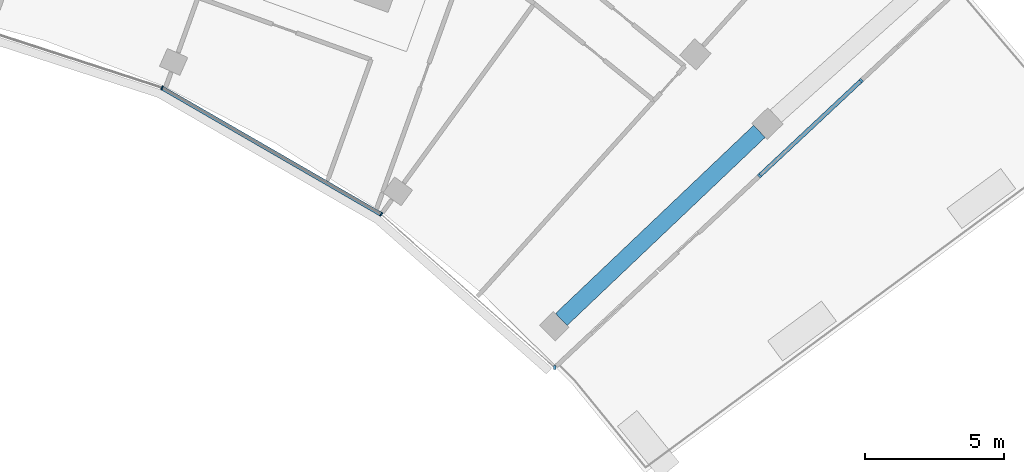
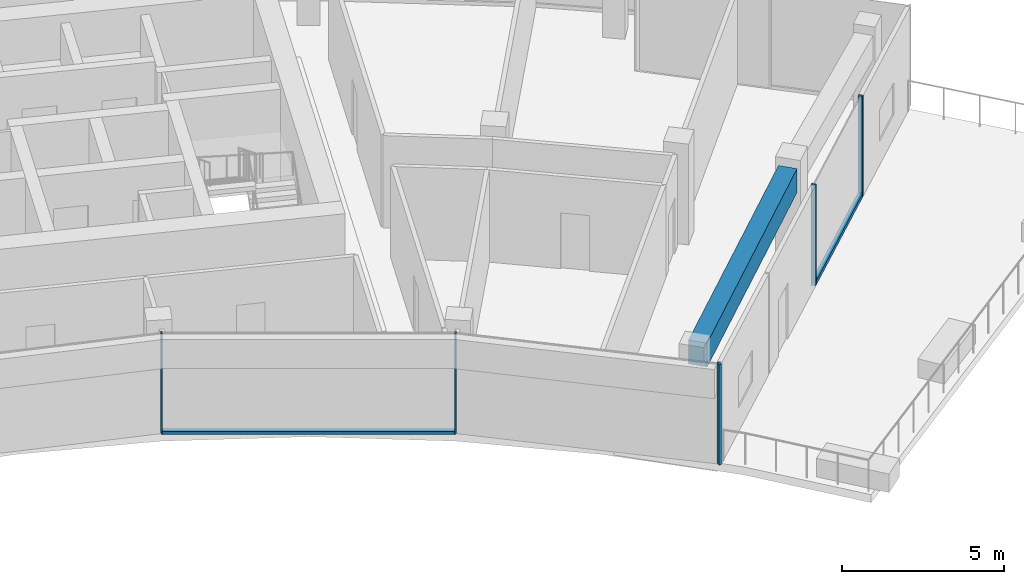
# One storey, part 8 of 19: 7 members, 1 beam, 2 elements without a shape of their own.
"""IFC4 building model written with IfcOpenShell, lengths in metres."""

from ifc_helpers import new_model, si_unit, direction, frame, origin, origin_2d, place, context, subcontext, project, spatial, rectangle, extrude, material, layer, layer_set, material_profile, profile_set, type_object, element, aggregate, save


model = new_model("IFC4")

# Units and contexts
model_context = context("Model", 3, precision=1e-05, world=origin(), true_north=direction((0.0, 1.0)))
body_context = subcontext(model_context, "Body", "Model", "MODEL_VIEW")
ifc_project = project(units=[si_unit("LENGTHUNIT", "METRE"), si_unit("AREAUNIT", "SQUARE_METRE"), si_unit("VOLUMEUNIT", "CUBIC_METRE"), si_unit("PLANEANGLEUNIT", "RADIAN"), si_unit("MASSUNIT", "GRAM", prefix="KILO")], contexts=[model_context])

# Site, building, storey
site_placement = place(None, origin())
site = spatial("IfcSite", under=ifc_project, at=site_placement, CompositionType="ELEMENT")
building_placement = place(site_placement, origin())
building = spatial("IfcBuilding", under=site, at=building_placement, Name="Stone Belt Terrace Tower", CompositionType="ELEMENT")
storey_placement = place(building_placement, frame((0.0, 0.0, 258.0)))
storey = spatial("IfcBuildingStorey", under=building, at=storey_placement, Name="L62", CompositionType="ELEMENT", Elevation=258.0)

# Curtain wall, members
ifc_material_1 = material(Name="Aluminium 6063-T6 anodised frame", Category="aluminium")
ifc_layer_1 = layer(ifc_material_1, 0.14990234375)
ifc_layer_set_1 = layer_set([ifc_layer_1], Name="CW-B unitised concave-face curtain wall")
curtain_wall_type_1 = type_object("IfcCurtainWallType", Name="CW-B unitised concave-face curtain wall", PredefinedType="NOTDEFINED", material=ifc_layer_set_1)
curtain_wall_1_placement = place(storey_placement, origin())
curtain_wall_1 = element("IfcCurtainWall", 1, at=curtain_wall_1_placement, inside=storey, type_object=curtain_wall_type_1, Name="CW-B concave face L62", PredefinedType="NOTDEFINED")
ifc_material_profile_1 = material_profile(ifc_material_1, rectangle(XDim=0.14990234375, YDim=0.050048828125, at=origin_2d()), Name="Aluminium 6063-T6 50x150")
ifc_profile_set_1 = profile_set([ifc_material_profile_1], Name="Aluminium 6063-T6 anodised frame")
member_type_1 = type_object("IfcMemberType", Name="CW-B mullion 50 x 150", PredefinedType="MULLION", material=ifc_profile_set_1)
member_1_placement = place(storey_placement, frame((17.662353515625, 39.67041015625, 0.0), z_axis=(0.0, 0.0, 1.0), x_axis=(0.406736643076, 0.913545457643, 0.0)))
member_1 = element("IfcMember", 2, at=member_1_placement, type_object=member_type_1, Name="CW-B mullion 7", PredefinedType="MULLION", context=body_context, shape_type="SweptSolid", body=[
    extrude(rectangle(XDim=0.14990234375, YDim=0.050048828125, at=origin_2d()), origin(), (0.0, 0.0, 1.0), 3.800048828125),
])
member_2_placement = place(storey_placement, frame((25.524658203125, 35.131103515625, 0.0), z_axis=(0.0, 0.0, 1.0), x_axis=(0.583818854632, 0.811883947973, 0.0)))
member_2 = element("IfcMember", 3, at=member_2_placement, type_object=member_type_1, Name="CW-B mullion 8", PredefinedType="MULLION", context=body_context, shape_type="SweptSolid", body=[
    extrude(rectangle(XDim=0.14990234375, YDim=0.050048828125, at=origin_2d()), origin(), (0.0, 0.0, 1.0), 3.800048828125),
])
ifc_material_profile_2 = material_profile(ifc_material_1, rectangle(XDim=0.14990234375, YDim=0.1201171875, at=origin_2d()), Name="Aluminium 6063-T6 150x120")
ifc_profile_set_2 = profile_set([ifc_material_profile_2], Name="Aluminium 6063-T6 anodised frame")
member_type_2 = type_object("IfcMemberType", Name="CW-B transom 120 x 150", PredefinedType="USERDEFINED", material=ifc_profile_set_2)
member_3_placement = place(storey_placement, frame((17.690673828125, 39.654052734375, 0.06005859375), z_axis=(0.866020948727, -0.500007716307, 0.0), x_axis=(0.500007716307, 0.866020948727, 0.0)))
member_3 = element("IfcMember", 4, at=member_3_placement, type_object=member_type_2, Name="CW-B transom 7.1", ObjectType="TRANSOM", PredefinedType="USERDEFINED", context=body_context, shape_type="SweptSolid", body=[
    extrude(rectangle(XDim=0.14990234375, YDim=0.1201171875, at=origin_2d()), origin(), (0.0, 0.0, 1.0), 9.013427734375),
])
aggregate(curtain_wall_1, [member_1, member_2, member_3])

ifc_layer_2 = layer(ifc_material_1, 0.14990234375)
ifc_layer_set_2 = layer_set([ifc_layer_2], Name="CW-E conservatory and damper hall curtain wall")
curtain_wall_type_2 = type_object("IfcCurtainWallType", Name="CW-E conservatory and damper hall curtain wall", PredefinedType="NOTDEFINED", material=ifc_layer_set_2)
curtain_wall_2_placement = place(storey_placement, origin())
curtain_wall_2 = element("IfcCurtainWall", 5, at=curtain_wall_2_placement, inside=storey, type_object=curtain_wall_type_2, Name="CW-E end face L62", PredefinedType="NOTDEFINED")
ifc_material_profile_3 = material_profile(ifc_material_1, rectangle(XDim=0.14990234375, YDim=0.080078125, at=origin_2d()), Name="Aluminium 6063-T6 80x150")
ifc_profile_set_3 = profile_set([ifc_material_profile_3], Name="Aluminium 6063-T6 anodised frame")
member_type_3 = type_object("IfcMemberType", Name="CW-E mullion 80 x 150", PredefinedType="MULLION", material=ifc_profile_set_3)
member_4_placement = place(storey_placement, frame((31.75244140625, 29.633056640625, 0.0), z_axis=(0.0, 0.0, 1.0), x_axis=(-0.014681639593, 0.999892218921, 0.0)))
member_4 = element("IfcMember", 6, at=member_4_placement, type_object=member_type_3, Name="CW-E mullion 1", PredefinedType="MULLION", context=body_context, shape_type="SweptSolid", body=[
    extrude(rectangle(XDim=0.14990234375, YDim=0.080078125, at=origin_2d()), origin(), (0.0, 0.0, 1.0), 3.800048828125),
])
member_5_placement = place(storey_placement, frame((39.10107421875, 36.51513671875, 0.0), z_axis=(0.0, 0.0, 1.0), x_axis=(-0.683549434973, 0.729904219708, 0.0)))
member_5 = element("IfcMember", 7, at=member_5_placement, type_object=member_type_3, Name="CW-E mullion 3", PredefinedType="MULLION", context=body_context, shape_type="SweptSolid", body=[
    extrude(rectangle(XDim=0.14990234375, YDim=0.080078125, at=origin_2d()), origin(), (0.0, 0.0, 1.0), 3.800048828125),
])
member_6_placement = place(storey_placement, frame((42.750732421875, 39.932861328125, 0.0), z_axis=(0.0, 0.0, 1.0), x_axis=(-0.683549434973, 0.729904219708, 0.0)))
member_6 = element("IfcMember", 8, at=member_6_placement, type_object=member_type_3, Name="CW-E mullion 4", PredefinedType="MULLION", context=body_context, shape_type="SweptSolid", body=[
    extrude(rectangle(XDim=0.14990234375, YDim=0.080078125, at=origin_2d()), origin(), (0.0, 0.0, 1.0), 3.800048828125),
])
ifc_material_profile_4 = material_profile(ifc_material_1, rectangle(XDim=0.14990234375, YDim=0.14990234375, at=origin_2d()), Name="Aluminium 6063-T6 150x150")
ifc_profile_set_4 = profile_set([ifc_material_profile_4], Name="Aluminium 6063-T6 anodised frame")
member_type_4 = type_object("IfcMemberType", Name="CW-E transom 150 x 150", PredefinedType="USERDEFINED", material=ifc_profile_set_4)
member_7_placement = place(storey_placement, frame((39.13037109375, 36.54248046875, 0.074951171875), z_axis=(0.729900760326, 0.683553128934, 0.0), x_axis=(-0.683553128934, 0.729900760326, 0.0)))
member_7 = element("IfcMember", 9, at=member_7_placement, type_object=member_type_4, Name="CW-E transom 3.1", ObjectType="TRANSOM", PredefinedType="USERDEFINED", context=body_context, shape_type="SweptSolid", body=[
    extrude(rectangle(XDim=0.14990234375, YDim=0.14990234375, at=origin_2d()), origin(), (0.0, 0.0, 1.0), 4.919921875),
])
aggregate(curtain_wall_2, [member_4, member_5, member_6, member_7])

# Beam
ifc_material_2 = material(Name="Concrete B60", Category="concrete")
ifc_material_profile_5 = material_profile(ifc_material_2, rectangle(XDim=0.60009765625, YDim=0.89990234375, at=origin_2d()), Name="RC 600x900")
ifc_profile_set_5 = profile_set([ifc_material_profile_5], Name="Concrete B60")
beam_type = type_object("IfcBeamType", Name="Edge beam RC 600x900 B60", PredefinedType="SPANDREL", material=ifc_profile_set_5)
beam_placement = place(storey_placement, frame((31.98876953125, 31.35791015625, 3.030029296875), z_axis=(0.72502367576, 0.688723942946, 0.0), x_axis=(-0.688723942946, 0.72502367576, 0.0)))
element("IfcBeam", 10, at=beam_placement, inside=storey, type_object=beam_type, Name="Edge beam L62 B P to Q", PredefinedType="SPANDREL", context=body_context, shape_type="SweptSolid", body=[
    extrude(rectangle(XDim=0.60009765625, YDim=0.89990234375, at=origin_2d()), origin(), (0.0, 0.0, 1.0), 9.80615234375),
])

save(model, "model.ifc")
